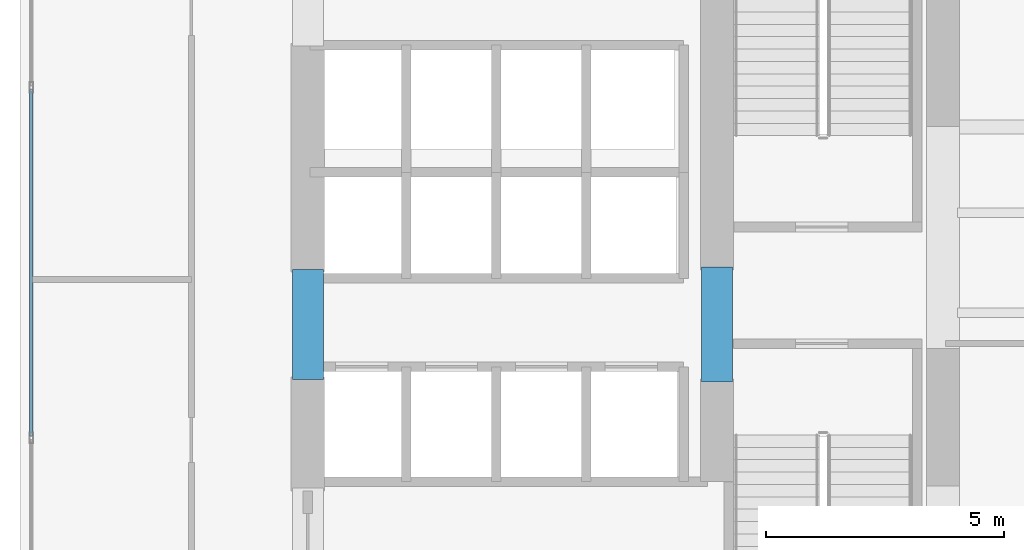
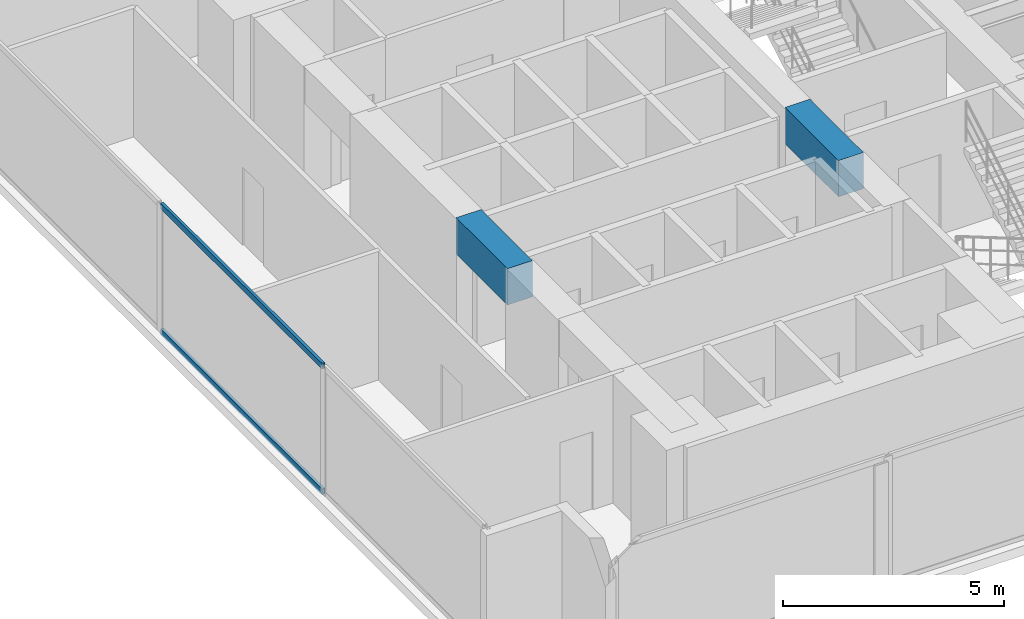
# One storey, part 3 of 27: 2 beams, 2 members, 1 element without a shape of its own.
"""IFC4 building model written with IfcOpenShell, lengths in metres."""

from ifc_helpers import new_model, si_unit, direction, frame, origin, origin_with_axes, origin_2d, place, context, subcontext, project, spatial, rectangle, hollow_rectangle, extrude, source, transform, mapped, material, layer, layer_set, material_profile, profile_set, type_object, element, aggregate, save


model = new_model("IFC4")

# Units and contexts
model_context = context("Model", 3, precision=1e-05, world=origin(), true_north=direction((0.0, 1.0)))
body_context = subcontext(model_context, "Body", "Model", "MODEL_VIEW")
ifc_project = project(units=[si_unit("LENGTHUNIT", "METRE"), si_unit("AREAUNIT", "SQUARE_METRE"), si_unit("VOLUMEUNIT", "CUBIC_METRE"), si_unit("PLANEANGLEUNIT", "RADIAN"), si_unit("MASSUNIT", "GRAM", prefix="KILO")], contexts=[model_context])

# Site, building, storey
site_placement = place(None, origin())
site = spatial("IfcSite", under=ifc_project, at=site_placement, CompositionType="ELEMENT")
building_placement = place(site_placement, origin())
building = spatial("IfcBuilding", under=site, at=building_placement, Name="Kolvaren Waterfront Exchange", CompositionType="ELEMENT")
storey_placement = place(building_placement, frame((0.0, 0.0, 60.0)))
storey = spatial("IfcBuildingStorey", under=building, at=storey_placement, Name="L15", CompositionType="ELEMENT", Elevation=60.0)

# Beams
ifc_material_1 = material(Name="Concrete C60/75", Category="concrete")
ifc_material_profile_1 = material_profile(ifc_material_1, rectangle(XDim=0.64990234375, YDim=1.0, at=origin_2d()), Name="RC-CB-1000x650")
ifc_profile_set_1 = profile_set([ifc_material_profile_1], Name="Concrete C60/75")
beam_type = type_object("IfcBeamType", Name="STR-CB-1000", PredefinedType="SPANDREL", material=ifc_profile_set_1)
beam_1_placement = place(storey_placement, frame((7.449951171875, 12.090087890625, 3.0400390625), z_axis=(0.0, 1.0, 0.0), x_axis=(-1.0, 0.0, 0.0)))
element("IfcBeam", 1, at=beam_1_placement, inside=storey, type_object=beam_type, Name="L15 core coupling beam 4", PredefinedType="SPANDREL", context=body_context, shape_type="SweptSolid", body=[
    extrude(rectangle(XDim=0.64990234375, YDim=1.0, at=origin_2d()), origin(), (0.0, 0.0, 1.0), 2.31982421875),
])
beam_2_placement = place(storey_placement, frame((16.050048828125, 12.0400390625, 3.0400390625), z_axis=(0.0, 1.0, 0.0), x_axis=(-1.0, 0.0, 0.0)))
element("IfcBeam", 2, at=beam_2_placement, inside=storey, type_object=beam_type, Name="L15 core coupling beam 6", PredefinedType="SPANDREL", context=body_context, shape_type="SweptSolid", body=[
    extrude(rectangle(XDim=0.64990234375, YDim=1.0, at=origin_2d()), origin(), (0.0, 0.0, 1.0), 2.419921875),
])

# Curtain wall, members
ifc_material_2 = material(Name="Anodised aluminium 6063-T6", Category="aluminium")
ifc_layer = layer(ifc_material_2, 0.219970703125, Name="Anodised aluminium 6063-T6")
ifc_layer_set = layer_set([ifc_layer], Name="Anodised aluminium 6063-T6")
curtain_wall_type = type_object("IfcCurtainWallType", Name="ARC-CW-SYS2", PredefinedType="USERDEFINED", material=ifc_layer_set)
curtain_wall_placement = place(storey_placement, origin())
curtain_wall = element("IfcCurtainWall", 3, at=curtain_wall_placement, inside=storey, type_object=curtain_wall_type, Name="L15 stick curtain wall CW2 (CW-L15-W)", ObjectType="STICK CURTAIN WALL", PredefinedType="USERDEFINED")
ifc_material_profile_2 = material_profile(ifc_material_2, hollow_rectangle(XDim=0.074951171875, YDim=0.159912109375, WallThickness=0.00439453125, at=origin_2d()), Name="ALU-TRN-160x75x4.5")
ifc_profile_set_2 = profile_set([ifc_material_profile_2], Name="Anodised aluminium 6063-T6")
member_type = type_object("IfcMemberType", Name="ARC-CWT-160", PredefinedType="USERDEFINED", material=ifc_profile_set_2)
shared_shape = source(origin_with_axes(), body_context, "Body", "SweptSolid", [
    extrude(hollow_rectangle(XDim=0.074951171875, YDim=0.159912109375, WallThickness=0.00439453125, at=origin_2d()), origin(), (0.0, 0.0, 1.0), 7.28662109375),
])
member_1_placement = place(storey_placement, frame((1.639892578125, 10.90673828125, 0.03759765625), z_axis=(0.0, 1.0, 0.0), x_axis=(-1.0, 0.0, 0.0)))
member_1 = element("IfcMember", 4, at=member_1_placement, type_object=member_type, Name="CW2 transom 2.1", ObjectType="TRANSOM", PredefinedType="USERDEFINED", context=body_context, shape_type="MappedRepresentation", body=[
    mapped(shared_shape, transform((0.0, 0.0, 0.0), x_axis=(1.0, 0.0, 0.0), y_axis=(0.0, 1.0, 0.0), z_axis=(0.0, 0.0, 1.0), scale=1.0)),
])
member_2_placement = place(storey_placement, frame((1.639892578125, 10.90673828125, 3.50244140625), z_axis=(0.0, 1.0, 0.0), x_axis=(-1.0, 0.0, 0.0)))
member_2 = element("IfcMember", 5, at=member_2_placement, type_object=member_type, Name="CW2 transom 2.2", ObjectType="TRANSOM", PredefinedType="USERDEFINED", context=body_context, shape_type="MappedRepresentation", body=[
    mapped(shared_shape, transform((0.0, 0.0, 0.0), x_axis=(1.0, 0.0, 0.0), y_axis=(0.0, 1.0, 0.0), z_axis=(0.0, 0.0, 1.0), scale=1.0)),
])
aggregate(curtain_wall, [member_1, member_2])

save(model, "model.ifc")
